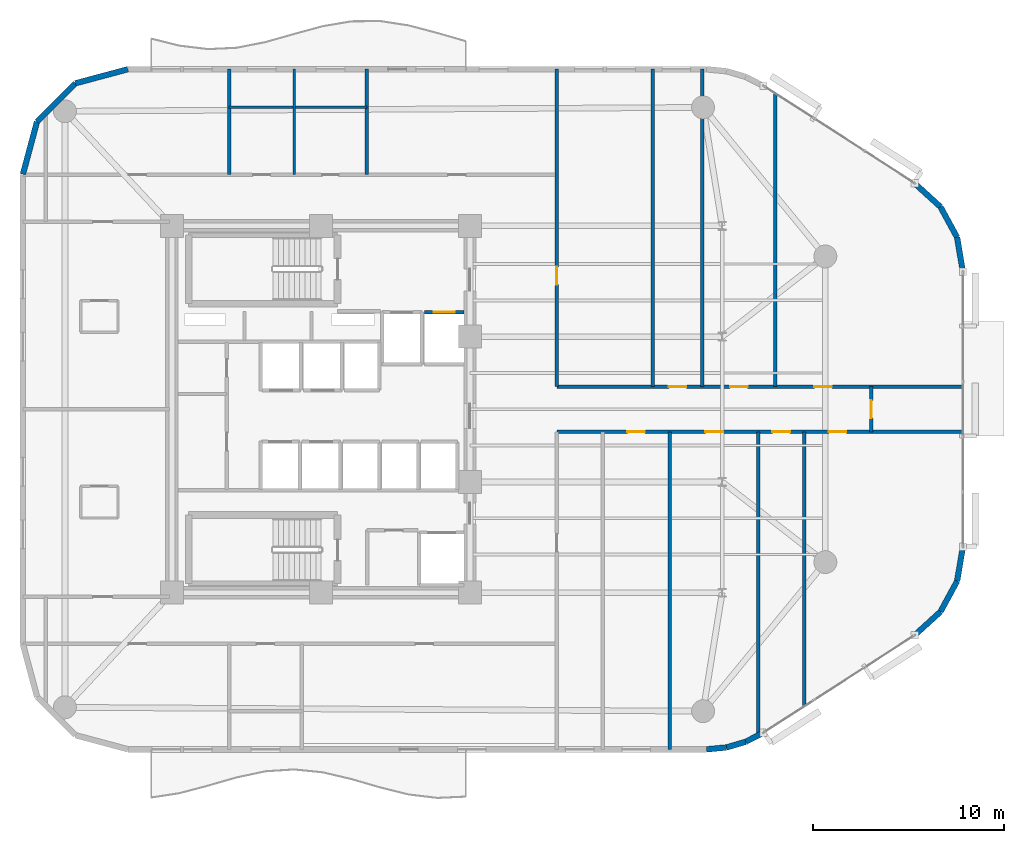
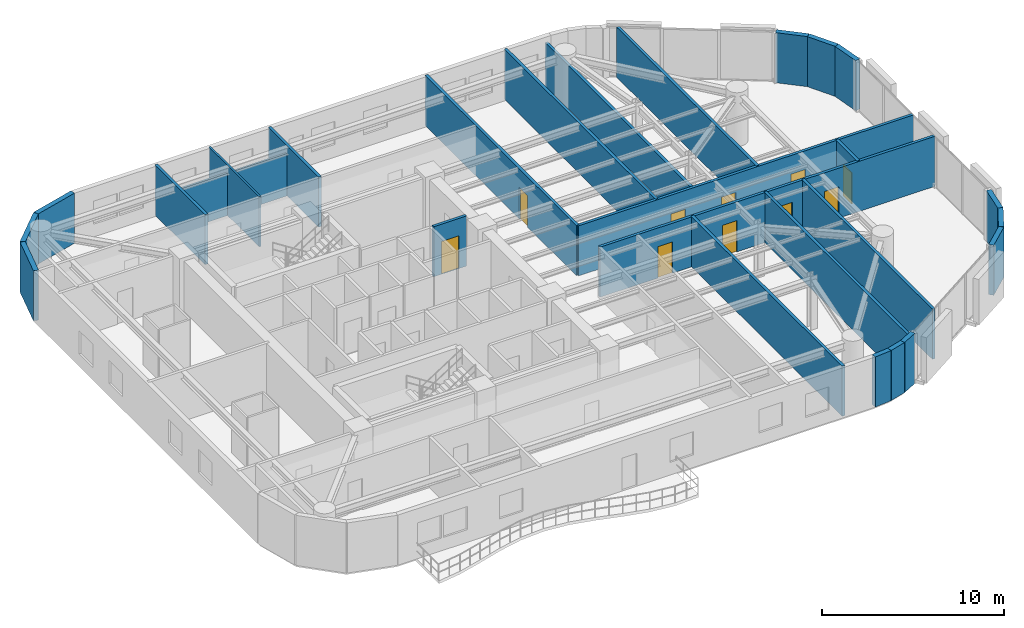
# One storey, part 12 of 15: 27 walls, 10 doors, 10 openings.
"""IFC4 building model written with IfcOpenShell, lengths in metres."""

from ifc_helpers import new_model, si_unit, direction, frame, frame_2d, origin, place, context, subcontext, project, spatial, rectangle, extrude, material, layer, layer_set, type_object, element, fill, save


model = new_model("IFC4")

# Units and contexts
model_context = context("Model", 3, precision=1e-05, world=origin(), true_north=direction((0.0, 1.0)))
body_context = subcontext(model_context, "Body", "Model", "MODEL_VIEW")
ifc_project = project(units=[si_unit("LENGTHUNIT", "METRE"), si_unit("AREAUNIT", "SQUARE_METRE"), si_unit("VOLUMEUNIT", "CUBIC_METRE"), si_unit("PLANEANGLEUNIT", "RADIAN"), si_unit("MASSUNIT", "GRAM", prefix="KILO")], contexts=[model_context])

# Site, building, storey
site_placement = place(None, origin())
site = spatial("IfcSite", under=ifc_project, at=site_placement, CompositionType="ELEMENT")
building_placement = place(site_placement, origin())
building = spatial("IfcBuilding", under=site, at=building_placement, Name="An Khanh Terracotta Commons", CompositionType="ELEMENT")
storey_placement = place(building_placement, frame((0.0, 0.0, 187.0)))
storey = spatial("IfcBuildingStorey", under=building, at=storey_placement, Name="L49", CompositionType="ELEMENT", Elevation=187.0)

# Wall, opening, door
ifc_material_1 = material(Name="Fire-Rated Gypsum Board on Steel Stud", Category="steel")
ifc_layer_1 = layer(ifc_material_1, 0.179931640625, Name="Fire-Rated Gypsum Board on Steel Stud")
ifc_layer_set_1 = layer_set([ifc_layer_1], Name="Fire-Rated Gypsum Board on Steel Stud")
wall_type_1 = type_object("IfcWallType", Name="WALL-CORR-180", PredefinedType="PARTITIONING", material=ifc_layer_set_1)
wall_1_placement = place(storey_placement, frame((34.820068359375, 29.080078125, 0.0), z_axis=(0.0, 0.0, 1.0), x_axis=(1.0, 0.0, 0.0)))
wall_1 = element("IfcWall", 1, at=wall_1_placement, inside=storey, type_object=wall_type_1, Name="L49 Core Wall LSH-L49-FFL-02-N", PredefinedType="PARTITIONING", context=body_context, shape_type="SweptSolid", body=[
    extrude(rectangle(XDim=2.079833984375, YDim=0.179931640625, at=frame_2d((1.0400390625, 0.0))), origin(), (0.0, 0.0, 1.0), 3.360107421875),
])
opening_1_placement = place(wall_1_placement, frame((0.489990234375, 0.0, 0.0)))
opening_1 = element("IfcOpeningElement", 2, at=opening_1_placement, cuts=wall_1, Name="Opening LD-FFL-02-L49", PredefinedType="OPENING", context=body_context, shape_type="SweptSolid", body=[
    extrude(rectangle(XDim=1.10009765625, YDim=2.199951171875, at=frame_2d((0.550048828125, 1.10009765625))), frame((0.0, 0.099853515625, 0.0), z_axis=(0.0, -1.0, 0.0), x_axis=(1.0, 0.0, 0.0)), (0.0, 0.0, 1.0), 0.199951171875),
])
ifc_material_2 = material(Name="Brushed Stainless Steel Fire Landing Door", Category="steel")
door_type_1 = type_object("IfcDoorType", Name="DOOR-LD-FFL-1100", OperationType="NOTDEFINED", PredefinedType="DOOR", material=ifc_material_2)
door_1_placement = place(opening_1_placement, origin())
door_1 = element("IfcDoor", 3, at=door_1_placement, inside=storey, type_object=door_type_1, Name="L49 Lift FFL-02 Sliding Landing Door", OperationType="DOUBLE_DOOR_SLIDING", OverallHeight=2.199951171875, OverallWidth=1.10009765625, PredefinedType="DOOR", context=body_context, shape_type="SweptSolid", body=[
    extrude(rectangle(XDim=1.10009765625, YDim=2.199951171875, at=frame_2d((0.550048828125, 1.10009765625))), frame((0.0, 0.02490234375, 0.0), z_axis=(0.0, -1.0, 0.0), x_axis=(1.0, 0.0, 0.0)), (0.0, 0.0, 1.0), 0.050048828125),
])
fill(opening_1, door_1)

# Wall, openings, doors
wall_2_placement = place(storey_placement, frame((41.75, 22.820068359375, 0.0), z_axis=(0.0, 0.0, 1.0), x_axis=(1.0, 0.0, 0.0)))
wall_2 = element("IfcWall", 4, at=wall_2_placement, inside=storey, type_object=wall_type_1, Name="L49 Interior Partition IW-L49-E004", PredefinedType="PARTITIONING", context=body_context, shape_type="SweptSolid", body=[
    extrude(rectangle(XDim=21.25, YDim=0.179931640625, at=frame_2d((10.625, 0.0))), origin(), (0.0, 0.0, 1.0), 3.360107421875),
])
opening_2_placement = place(wall_2_placement, frame((3.68798828125, 0.0, 0.0)))
opening_2 = element("IfcOpeningElement", 5, at=opening_2_placement, cuts=wall_2, Name="Opening D-RM", PredefinedType="OPENING", context=body_context, shape_type="SweptSolid", body=[
    extrude(rectangle(XDim=0.919921875, YDim=2.10009765625, at=frame_2d((0.4599609375, 1.050048828125))), frame((0.0, 0.099853515625, 0.0), z_axis=(0.0, -1.0, 0.0), x_axis=(1.0, 0.0, 0.0)), (0.0, 0.0, 1.0), 0.199951171875),
])
opening_3_placement = place(wall_2_placement, frame((7.764892578125, 0.0, 0.0)))
opening_3 = element("IfcOpeningElement", 6, at=opening_3_placement, cuts=wall_2, Name="Opening D-RM", PredefinedType="OPENING", context=body_context, shape_type="SweptSolid", body=[
    extrude(rectangle(XDim=0.919921875, YDim=2.10009765625, at=frame_2d((0.4599609375, 1.050048828125))), frame((0.0, 0.099853515625, 0.0), z_axis=(0.0, -1.0, 0.0), x_axis=(1.0, 0.0, 0.0)), (0.0, 0.0, 1.0), 0.199951171875),
])
opening_4_placement = place(wall_2_placement, frame((11.280029296875, 0.0, 0.0)))
opening_4 = element("IfcOpeningElement", 7, at=opening_4_placement, cuts=wall_2, Name="Opening D-RM", PredefinedType="OPENING", context=body_context, shape_type="SweptSolid", body=[
    extrude(rectangle(XDim=0.919921875, YDim=2.10009765625, at=frame_2d((0.4599609375, 1.050048828125))), frame((0.0, 0.099853515625, 0.0), z_axis=(0.0, -1.0, 0.0), x_axis=(1.0, 0.0, 0.0)), (0.0, 0.0, 1.0), 0.199951171875),
])
opening_5_placement = place(wall_2_placement, frame((14.23291015625, 0.0, 0.0)))
opening_5 = element("IfcOpeningElement", 8, at=opening_5_placement, cuts=wall_2, Name="Opening D-RM", PredefinedType="OPENING", context=body_context, shape_type="SweptSolid", body=[
    extrude(rectangle(XDim=0.919921875, YDim=2.10009765625, at=frame_2d((0.4599609375, 1.050048828125))), frame((0.0, 0.099853515625, 0.0), z_axis=(0.0, -1.0, 0.0), x_axis=(1.0, 0.0, 0.0)), (0.0, 0.0, 1.0), 0.199951171875),
])
ifc_material_3 = material(Name="Engineered Hardwood Timber Leaf", Category="wood")
door_type_2 = type_object("IfcDoorType", Name="DOOR-INT-920", OperationType="NOTDEFINED", PredefinedType="DOOR", material=ifc_material_3)
door_2_placement = place(opening_2_placement, origin())
door_2 = element("IfcDoor", 9, at=door_2_placement, inside=storey, type_object=door_type_2, Name="L49 SB2 Boardroom Meeting Room Door", OperationType="SINGLE_SWING_LEFT", OverallHeight=2.10009765625, OverallWidth=0.919921875, PredefinedType="DOOR", context=body_context, shape_type="SweptSolid", body=[
    extrude(rectangle(XDim=0.919921875, YDim=2.10009765625, at=frame_2d((0.4599609375, 1.050048828125))), frame((0.0, 0.02490234375, 0.0), z_axis=(0.0, -1.0, 0.0), x_axis=(1.0, 0.0, 0.0)), (0.0, 0.0, 1.0), 0.050048828125),
])
fill(opening_2, door_2)
door_3_placement = place(opening_3_placement, origin())
door_3 = element("IfcDoor", 10, at=door_3_placement, inside=storey, type_object=door_type_2, Name="L49 SB3 Research Study Office Door", OperationType="SINGLE_SWING_RIGHT", OverallHeight=2.10009765625, OverallWidth=0.919921875, PredefinedType="DOOR", context=body_context, shape_type="SweptSolid", body=[
    extrude(rectangle(XDim=0.919921875, YDim=2.10009765625, at=frame_2d((0.4599609375, 1.050048828125))), frame((0.0, 0.02490234375, 0.0), z_axis=(0.0, -1.0, 0.0), x_axis=(1.0, 0.0, 0.0)), (0.0, 0.0, 1.0), 0.050048828125),
])
fill(opening_3, door_3)
door_4_placement = place(opening_4_placement, origin())
door_4 = element("IfcDoor", 11, at=door_4_placement, inside=storey, type_object=door_type_2, Name="L49 SB4 Boardroom Meeting Room Door", OperationType="SINGLE_SWING_LEFT", OverallHeight=2.10009765625, OverallWidth=0.919921875, PredefinedType="DOOR", context=body_context, shape_type="SweptSolid", body=[
    extrude(rectangle(XDim=0.919921875, YDim=2.10009765625, at=frame_2d((0.4599609375, 1.050048828125))), frame((0.0, 0.02490234375, 0.0), z_axis=(0.0, -1.0, 0.0), x_axis=(1.0, 0.0, 0.0)), (0.0, 0.0, 1.0), 0.050048828125),
])
fill(opening_4, door_4)
door_5_placement = place(opening_5_placement, origin())
door_5 = element("IfcDoor", 12, at=door_5_placement, inside=storey, type_object=door_type_2, Name="L49 SB5 Research Study Office Door", OperationType="SINGLE_SWING_RIGHT", OverallHeight=2.10009765625, OverallWidth=0.919921875, PredefinedType="DOOR", context=body_context, shape_type="SweptSolid", body=[
    extrude(rectangle(XDim=0.919921875, YDim=2.10009765625, at=frame_2d((0.4599609375, 1.050048828125))), frame((0.0, 0.02490234375, 0.0), z_axis=(0.0, -1.0, 0.0), x_axis=(1.0, 0.0, 0.0)), (0.0, 0.0, 1.0), 0.050048828125),
])
fill(opening_5, door_5)

wall_3_placement = place(storey_placement, frame((41.75, 25.179931640625, 0.0), z_axis=(0.0, 0.0, 1.0), x_axis=(1.0, 0.0, 0.0)))
wall_3 = element("IfcWall", 13, at=wall_3_placement, inside=storey, type_object=wall_type_1, Name="L49 Interior Partition IW-L49-E006", PredefinedType="PARTITIONING", context=body_context, shape_type="SweptSolid", body=[
    extrude(rectangle(XDim=21.25, YDim=0.179931640625, at=frame_2d((10.625, 0.0))), origin(), (0.0, 0.0, 1.0), 3.360107421875),
])
opening_6_placement = place(wall_3_placement, frame((5.861083984375, 0.0, 0.0)))
opening_6 = element("IfcOpeningElement", 14, at=opening_6_placement, cuts=wall_3, Name="Opening D-RM", PredefinedType="OPENING", context=body_context, shape_type="SweptSolid", body=[
    extrude(rectangle(XDim=0.919921875, YDim=2.10009765625, at=frame_2d((0.4599609375, 1.050048828125))), frame((0.0, 0.099853515625, 0.0), z_axis=(0.0, -1.0, 0.0), x_axis=(1.0, 0.0, 0.0)), (0.0, 0.0, 1.0), 0.199951171875),
])
opening_7_placement = place(wall_3_placement, frame((9.06005859375, 0.0, 0.0)))
opening_7 = element("IfcOpeningElement", 15, at=opening_7_placement, cuts=wall_3, Name="Opening D-RM", PredefinedType="OPENING", context=body_context, shape_type="SweptSolid", body=[
    extrude(rectangle(XDim=0.919921875, YDim=2.10009765625, at=frame_2d((0.4599609375, 1.050048828125))), frame((0.0, 0.099853515625, 0.0), z_axis=(0.0, -1.0, 0.0), x_axis=(1.0, 0.0, 0.0)), (0.0, 0.0, 1.0), 0.199951171875),
])
opening_8_placement = place(wall_3_placement, frame((13.47705078125, 0.0, 0.0)))
opening_8 = element("IfcOpeningElement", 16, at=opening_8_placement, cuts=wall_3, Name="Opening D-RM", PredefinedType="OPENING", context=body_context, shape_type="SweptSolid", body=[
    extrude(rectangle(XDim=0.919921875, YDim=2.10009765625, at=frame_2d((0.4599609375, 1.050048828125))), frame((0.0, 0.099853515625, 0.0), z_axis=(0.0, -1.0, 0.0), x_axis=(1.0, 0.0, 0.0)), (0.0, 0.0, 1.0), 0.199951171875),
])
door_6_placement = place(opening_6_placement, origin())
door_6 = element("IfcDoor", 17, at=door_6_placement, inside=storey, type_object=door_type_2, Name="L49 NB2 Research Study Office Door", OperationType="SINGLE_SWING_LEFT", OverallHeight=2.10009765625, OverallWidth=0.919921875, PredefinedType="DOOR", context=body_context, shape_type="SweptSolid", body=[
    extrude(rectangle(XDim=0.919921875, YDim=2.10009765625, at=frame_2d((0.4599609375, 1.050048828125))), frame((0.0, 0.02490234375, 0.0), z_axis=(0.0, -1.0, 0.0), x_axis=(1.0, 0.0, 0.0)), (0.0, 0.0, 1.0), 0.050048828125),
])
fill(opening_6, door_6)
door_7_placement = place(opening_7_placement, origin())
door_7 = element("IfcDoor", 18, at=door_7_placement, inside=storey, type_object=door_type_2, Name="L49 NB3 Research Study Office Door", OperationType="SINGLE_SWING_RIGHT", OverallHeight=2.10009765625, OverallWidth=0.919921875, PredefinedType="DOOR", context=body_context, shape_type="SweptSolid", body=[
    extrude(rectangle(XDim=0.919921875, YDim=2.10009765625, at=frame_2d((0.4599609375, 1.050048828125))), frame((0.0, 0.02490234375, 0.0), z_axis=(0.0, -1.0, 0.0), x_axis=(1.0, 0.0, 0.0)), (0.0, 0.0, 1.0), 0.050048828125),
])
fill(opening_7, door_7)
door_8_placement = place(opening_8_placement, origin())
door_8 = element("IfcDoor", 19, at=door_8_placement, inside=storey, type_object=door_type_2, Name="L49 NB4 Research Study Office Door", OperationType="SINGLE_SWING_LEFT", OverallHeight=2.10009765625, OverallWidth=0.919921875, PredefinedType="DOOR", context=body_context, shape_type="SweptSolid", body=[
    extrude(rectangle(XDim=0.919921875, YDim=2.10009765625, at=frame_2d((0.4599609375, 1.050048828125))), frame((0.0, 0.02490234375, 0.0), z_axis=(0.0, -1.0, 0.0), x_axis=(1.0, 0.0, 0.0)), (0.0, 0.0, 1.0), 0.050048828125),
])
fill(opening_8, door_8)

# Walls
for number, where, z_axis, x_axis, name in (
    (20, (24.60009765625, 36.280029296875, 0.0), (0.0, 0.0, 1.0), (0.0, 1.0, 0.0), "L49 Interior Partition IW-L49-E013"),
    (21, (31.800048828125, 36.280029296875, 0.0), (0.0, 0.0, 1.0), (0.0, 1.0, 0.0), "L49 Interior Partition IW-L49-E016"),
):
    element("IfcWall", number, at=place(storey_placement, frame(where, z_axis=z_axis, x_axis=x_axis)), inside=storey, type_object=wall_type_1, Name=name, PredefinedType="PARTITIONING", context=body_context, shape_type="SweptSolid", body=[
        extrude(rectangle(XDim=5.52001953125, YDim=0.179931640625, at=frame_2d((2.760009765625, 0.0))), origin(), (0.0, 0.0, 1.0), 3.360107421875),
    ])

# Wall, opening, door
wall_4_placement = place(storey_placement, frame((41.75, 25.179931640625, 0.0), z_axis=(0.0, 0.0, 1.0), x_axis=(0.0, 1.0, 0.0)))
wall_4 = element("IfcWall", 22, at=wall_4_placement, inside=storey, type_object=wall_type_1, Name="L49 Interior Partition IW-L49-E018", PredefinedType="PARTITIONING", context=body_context, shape_type="SweptSolid", body=[
    extrude(rectangle(XDim=16.6201171875, YDim=0.179931640625, at=frame_2d((8.31005859375, 0.0))), origin(), (0.0, 0.0, 1.0), 3.360107421875),
])
opening_9_placement = place(wall_4_placement, frame((5.35009765625, 0.0, 0.0)))
opening_9 = element("IfcOpeningElement", 23, at=opening_9_placement, cuts=wall_4, Name="Opening D-RM", PredefinedType="OPENING", context=body_context, shape_type="SweptSolid", body=[
    extrude(rectangle(XDim=0.919921875, YDim=2.10009765625, at=frame_2d((0.4599609375, 1.050048828125))), frame((0.0, 0.099853515625, 0.0), z_axis=(0.0, -1.0, 0.0), x_axis=(1.0, 0.0, 0.0)), (0.0, 0.0, 1.0), 0.199951171875),
])
door_9_placement = place(opening_9_placement, origin())
door_9 = element("IfcDoor", 24, at=door_9_placement, inside=storey, type_object=door_type_2, Name="L49 NB1 Research Study Office Door", OperationType="SINGLE_SWING_RIGHT", OverallHeight=2.10009765625, OverallWidth=0.919921875, PredefinedType="DOOR", context=body_context, shape_type="SweptSolid", body=[
    extrude(rectangle(XDim=0.919921875, YDim=2.10009765625, at=frame_2d((0.4599609375, 1.050048828125))), frame((0.0, 0.02490234375, 0.0), z_axis=(0.0, -1.0, 0.0), x_axis=(1.0, 0.0, 0.0)), (0.0, 0.0, 1.0), 0.050048828125),
])
fill(opening_9, door_9)

# Walls
for number, where, z_axis, x_axis, name in (
    (25, (46.77587890625, 25.179931640625, 0.0), (0.0, 0.0, 1.0), (0.0, 1.0, 0.0), "L49 Interior Partition IW-L49-E020"),
    (26, (47.655029296875, 6.199951171875, 0.0), (0.0, 0.0, 1.0), (0.0, 1.0, 0.0), "L49 Interior Partition IW-L49-E021"),
):
    element("IfcWall", number, at=place(storey_placement, frame(where, z_axis=z_axis, x_axis=x_axis)), inside=storey, type_object=wall_type_1, Name=name, PredefinedType="PARTITIONING", context=body_context, shape_type="SweptSolid", body=[
        extrude(rectangle(XDim=16.6201171875, YDim=0.179931640625, at=frame_2d((8.31005859375, 0.0))), origin(), (0.0, 0.0, 1.0), 3.360107421875),
    ])
wall_5_placement = place(storey_placement, frame((49.365966796875, 25.179931640625, 0.0), z_axis=(0.0, 0.0, 1.0), x_axis=(0.0, 1.0, 0.0)))
element("IfcWall", 27, at=wall_5_placement, inside=storey, type_object=wall_type_1, Name="L49 Interior Partition IW-L49-E022", PredefinedType="PARTITIONING", context=body_context, shape_type="SweptSolid", body=[
    extrude(rectangle(XDim=16.6201171875, YDim=0.179931640625, at=frame_2d((8.31005859375, 0.0))), origin(), (0.0, 0.0, 1.0), 2.89208984375),
])
wall_6_placement = place(storey_placement, frame((52.294921875, 6.93896484375, 0.0), z_axis=(0.0, 0.0, 1.0), x_axis=(0.0, 1.0, 0.0)))
element("IfcWall", 28, at=wall_6_placement, inside=storey, type_object=wall_type_1, Name="L49 Interior Partition IW-L49-E023", PredefinedType="PARTITIONING", context=body_context, shape_type="SweptSolid", body=[
    extrude(rectangle(XDim=15.881103515625, YDim=0.179931640625, at=frame_2d((7.9404296875, 0.0))), origin(), (0.0, 0.0, 1.0), 3.360107421875),
])
wall_7_placement = place(storey_placement, frame((53.174072265625, 25.179931640625, 0.0), z_axis=(0.0, 0.0, 1.0), x_axis=(0.0, 1.0, 0.0)))
element("IfcWall", 29, at=wall_7_placement, inside=storey, type_object=wall_type_1, Name="L49 Interior Partition IW-L49-E024", PredefinedType="PARTITIONING", context=body_context, shape_type="SweptSolid", body=[
    extrude(rectangle(XDim=15.34912109375, YDim=0.179931640625, at=frame_2d((7.674560546875, 0.0))), origin(), (0.0, 0.0, 1.0), 3.360107421875),
])
wall_8_placement = place(storey_placement, frame((54.68505859375, 8.445068359375, 0.0), z_axis=(0.0, 0.0, 1.0), x_axis=(0.0, 1.0, 0.0)))
element("IfcWall", 30, at=wall_8_placement, inside=storey, type_object=wall_type_1, Name="L49 Interior Partition IW-L49-E025", PredefinedType="PARTITIONING", context=body_context, shape_type="SweptSolid", body=[
    extrude(rectangle(XDim=14.375, YDim=0.179931640625, at=frame_2d((7.1875, 0.0))), origin(), (0.0, 0.0, 1.0), 3.360107421875),
])

# Wall, opening, door
wall_9_placement = place(storey_placement, frame((58.199951171875, 22.820068359375, 0.0), z_axis=(0.0, 0.0, 1.0), x_axis=(0.0, 1.0, 0.0)))
wall_9 = element("IfcWall", 31, at=wall_9_placement, inside=storey, type_object=wall_type_1, Name="L49 Interior Partition IW-L49-E026", PredefinedType="PARTITIONING", context=body_context, shape_type="SweptSolid", body=[
    extrude(rectangle(XDim=2.35986328125, YDim=0.179931640625, at=frame_2d((1.179931640625, 0.0))), origin(), (0.0, 0.0, 1.0), 3.360107421875),
])
opening_10_placement = place(wall_9_placement, frame((0.719970703125, 0.0, 0.0)))
opening_10 = element("IfcOpeningElement", 32, at=opening_10_placement, cuts=wall_9, Name="Opening D-RM", PredefinedType="OPENING", context=body_context, shape_type="SweptSolid", body=[
    extrude(rectangle(XDim=0.919921875, YDim=2.10009765625, at=frame_2d((0.4599609375, 1.050048828125))), frame((0.0, 0.099853515625, 0.0), z_axis=(0.0, -1.0, 0.0), x_axis=(1.0, 0.0, 0.0)), (0.0, 0.0, 1.0), 0.199951171875),
])
door_10_placement = place(opening_10_placement, origin())
door_10 = element("IfcDoor", 33, at=door_10_placement, inside=storey, type_object=door_type_2, Name="L49 GHE Riverfront Study Office Door", OperationType="SINGLE_SWING_LEFT", OverallHeight=2.10009765625, OverallWidth=0.919921875, PredefinedType="DOOR", context=body_context, shape_type="SweptSolid", body=[
    extrude(rectangle(XDim=0.919921875, YDim=2.10009765625, at=frame_2d((0.4599609375, 1.050048828125))), frame((0.0, 0.02490234375, 0.0), z_axis=(0.0, -1.0, 0.0), x_axis=(1.0, 0.0, 0.0)), (0.0, 0.0, 1.0), 0.050048828125),
])
fill(opening_10, door_10)

# Walls
ifc_material_4 = material(Name="Precast concrete C40/50", Category="concrete")
ifc_layer_2 = layer(ifc_material_4, 0.300048828125, Name="Precast concrete C40/50")
ifc_layer_set_2 = layer_set([ifc_layer_2], Name="Precast concrete C40/50")
wall_type_2 = type_object("IfcWallType", Name="WALL-EXT-300", PredefinedType="SOLIDWALL", material=ifc_layer_set_2)
wall_10_placement = place(storey_placement, frame((49.58203125, 6.199951171875, 0.0), z_axis=(0.0, 0.0, 1.0), x_axis=(0.995426089968, 0.095534807324, 0.0)))
element("IfcWall", 34, at=wall_10_placement, inside=storey, type_object=wall_type_2, Name="L49 Insulated Terracotta Exterior Wall 5", PredefinedType="SOLIDWALL", context=body_context, shape_type="SweptSolid", body=[
    extrude(rectangle(XDim=1.0478515625, YDim=0.300048828125, at=frame_2d((0.52392578125, 0.0))), origin(), (0.0, 0.0, 1.0), 3.360107421875),
])
wall_11_placement = place(storey_placement, frame((50.625, 6.300048828125, 0.0), z_axis=(0.0, 0.0, 1.0), x_axis=(0.959528674476, 0.281610942363, 0.0)))
element("IfcWall", 35, at=wall_11_placement, inside=storey, type_object=wall_type_2, Name="L49 Insulated Terracotta Exterior Wall 6", PredefinedType="SOLIDWALL", context=body_context, shape_type="SweptSolid", body=[
    extrude(rectangle(XDim=1.04736328125, YDim=0.300048828125, at=frame_2d((0.523681640625, 0.0))), origin(), (0.0, 0.0, 1.0), 3.360107421875),
])
wall_12_placement = place(storey_placement, frame((51.6298828125, 6.594970703125, 0.0), z_axis=(0.0, 0.0, 1.0), x_axis=(0.888283247196, 0.459296062198, 0.0)))
element("IfcWall", 36, at=wall_12_placement, inside=storey, type_object=wall_type_2, Name="L49 Insulated Terracotta Exterior Wall 7", PredefinedType="SOLIDWALL", context=body_context, shape_type="SweptSolid", body=[
    extrude(rectangle(XDim=1.047119140625, YDim=0.300048828125, at=frame_2d((0.5234375, 0.0))), origin(), (0.0, 0.0, 1.0), 3.360107421875),
])
wall_13_placement = place(storey_placement, frame((60.47802734375, 12.176025390625, 0.0), z_axis=(0.0, 0.0, 1.0), x_axis=(0.73947929393, 0.673179302897, 0.0)))
element("IfcWall", 37, at=wall_13_placement, inside=storey, type_object=wall_type_2, Name="L49 Insulated Terracotta Exterior Wall 9", PredefinedType="SOLIDWALL", context=body_context, shape_type="SweptSolid", body=[
    extrude(rectangle(XDim=1.82275390625, YDim=0.300048828125, at=frame_2d((0.911376953125, 0.0))), origin(), (0.0, 0.0, 1.0), 3.360107421875),
])
wall_14_placement = place(storey_placement, frame((61.825927734375, 13.403076171875, 0.0), z_axis=(0.0, 0.0, 1.0), x_axis=(0.478608030646, 0.878028674362, 0.0)))
element("IfcWall", 38, at=wall_14_placement, inside=storey, type_object=wall_type_2, Name="L49 Insulated Terracotta Exterior Wall 10", PredefinedType="SOLIDWALL", context=body_context, shape_type="SweptSolid", body=[
    extrude(rectangle(XDim=1.822021484375, YDim=0.300048828125, at=frame_2d((0.9111328125, 0.0))), origin(), (0.0, 0.0, 1.0), 3.360107421875),
])
for number, where, z_axis, x_axis, name in (
    (39, (62.697998046875, 15.0029296875, 0.0), (0.0, 0.0, 1.0), (0.165724081207, 0.986172159873, 0.0), "L49 Insulated Terracotta Exterior Wall 11"),
    (40, (63.0, 31.199951171875, 0.0), (0.0, 0.0, 1.0), (-0.165724081207, 0.986172159873, 0.0), "L49 Insulated Terracotta Exterior Wall 13"),
):
    element("IfcWall", number, at=place(storey_placement, frame(where, z_axis=z_axis, x_axis=x_axis)), inside=storey, type_object=wall_type_2, Name=name, PredefinedType="SOLIDWALL", context=body_context, shape_type="SweptSolid", body=[
        extrude(rectangle(XDim=1.822265625, YDim=0.300048828125, at=frame_2d((0.9111328125, 0.0))), origin(), (0.0, 0.0, 1.0), 3.360107421875),
    ])
wall_15_placement = place(storey_placement, frame((62.697998046875, 32.9970703125, 0.0), z_axis=(0.0, 0.0, 1.0), x_axis=(-0.478608030646, 0.878028674362, 0.0)))
element("IfcWall", 41, at=wall_15_placement, inside=storey, type_object=wall_type_2, Name="L49 Insulated Terracotta Exterior Wall 14", PredefinedType="SOLIDWALL", context=body_context, shape_type="SweptSolid", body=[
    extrude(rectangle(XDim=1.822021484375, YDim=0.300048828125, at=frame_2d((0.9111328125, 0.0))), origin(), (0.0, 0.0, 1.0), 3.360107421875),
])
wall_16_placement = place(storey_placement, frame((61.825927734375, 34.596923828125, 0.0), z_axis=(0.0, 0.0, 1.0), x_axis=(-0.73947929393, 0.673179302897, 0.0)))
element("IfcWall", 42, at=wall_16_placement, inside=storey, type_object=wall_type_2, Name="L49 Insulated Terracotta Exterior Wall 15", PredefinedType="SOLIDWALL", context=body_context, shape_type="SweptSolid", body=[
    extrude(rectangle(XDim=1.82275390625, YDim=0.300048828125, at=frame_2d((0.911376953125, 0.0))), origin(), (0.0, 0.0, 1.0), 3.360107421875),
])
wall_17_placement = place(storey_placement, frame((19.300048828125, 41.800048828125, 0.0), z_axis=(0.0, 0.0, 1.0), x_axis=(-0.965908238586, -0.258884674387, 0.0)))
element("IfcWall", 43, at=wall_17_placement, inside=storey, type_object=wall_type_2, Name="L49 Insulated Terracotta Exterior Wall 21", PredefinedType="SOLIDWALL", context=body_context, shape_type="SweptSolid", body=[
    extrude(rectangle(XDim=2.84716796875, YDim=0.300048828125, at=frame_2d((1.423583984375, 0.0))), origin(), (0.0, 0.0, 1.0), 3.360107421875),
])
wall_18_placement = place(storey_placement, frame((16.550048828125, 41.06298828125, 0.0), z_axis=(0.0, 0.0, 1.0), x_axis=(-0.707106781187, -0.707106781187, 0.0)))
element("IfcWall", 44, at=wall_18_placement, inside=storey, type_object=wall_type_2, Name="L49 Insulated Terracotta Exterior Wall 22", PredefinedType="SOLIDWALL", context=body_context, shape_type="SweptSolid", body=[
    extrude(rectangle(XDim=2.8466796875, YDim=0.300048828125, at=frame_2d((1.42333984375, 0.0))), origin(), (0.0, 0.0, 1.0), 3.360107421875),
])
wall_19_placement = place(storey_placement, frame((14.537109375, 39.050048828125, 0.0), z_axis=(0.0, 0.0, 1.0), x_axis=(-0.258884674387, -0.965908238586, 0.0)))
element("IfcWall", 45, at=wall_19_placement, inside=storey, type_object=wall_type_2, Name="L49 Insulated Terracotta Exterior Wall 23", PredefinedType="SOLIDWALL", context=body_context, shape_type="SweptSolid", body=[
    extrude(rectangle(XDim=2.84716796875, YDim=0.300048828125, at=frame_2d((1.423583984375, 0.0))), origin(), (0.0, 0.0, 1.0), 3.360107421875),
])
ifc_material_5 = material(Name="Moisture-Resistant Cement Board Partition")
ifc_layer_3 = layer(ifc_material_5, 0.1201171875, Name="Moisture-Resistant Cement Board Partition")
ifc_layer_set_3 = layer_set([ifc_layer_3], Name="Moisture-Resistant Cement Board Partition")
wall_type_3 = type_object("IfcWallType", Name="WALL-WET-120", PredefinedType="PARTITIONING", material=ifc_layer_set_3)
wall_20_placement = place(storey_placement, frame((24.60009765625, 39.800048828125, 0.0), z_axis=(0.0, 0.0, 1.0), x_axis=(1.0, 0.0, 0.0)))
element("IfcWall", 46, at=wall_20_placement, inside=storey, type_object=wall_type_3, Name="L49 Interior Partition IW-L49-E009", PredefinedType="PARTITIONING", context=body_context, shape_type="SweptSolid", body=[
    extrude(rectangle(XDim=7.199951171875, YDim=0.1201171875, at=frame_2d((3.60009765625, 0.0))), origin(), (0.0, 0.0, 1.0), 2.842041015625),
])
wall_21_placement = place(storey_placement, frame((28.0, 36.280029296875, 0.0), z_axis=(0.0, 0.0, 1.0), x_axis=(0.0, 1.0, 0.0)))
element("IfcWall", 47, at=wall_21_placement, inside=storey, type_object=wall_type_3, Name="L49 Interior Partition IW-L49-E014", PredefinedType="PARTITIONING", context=body_context, shape_type="SweptSolid", body=[
    extrude(rectangle(XDim=5.52001953125, YDim=0.1201171875, at=frame_2d((2.760009765625, 0.0))), origin(), (0.0, 0.0, 1.0), 3.360107421875),
])

save(model, "model.ifc")
